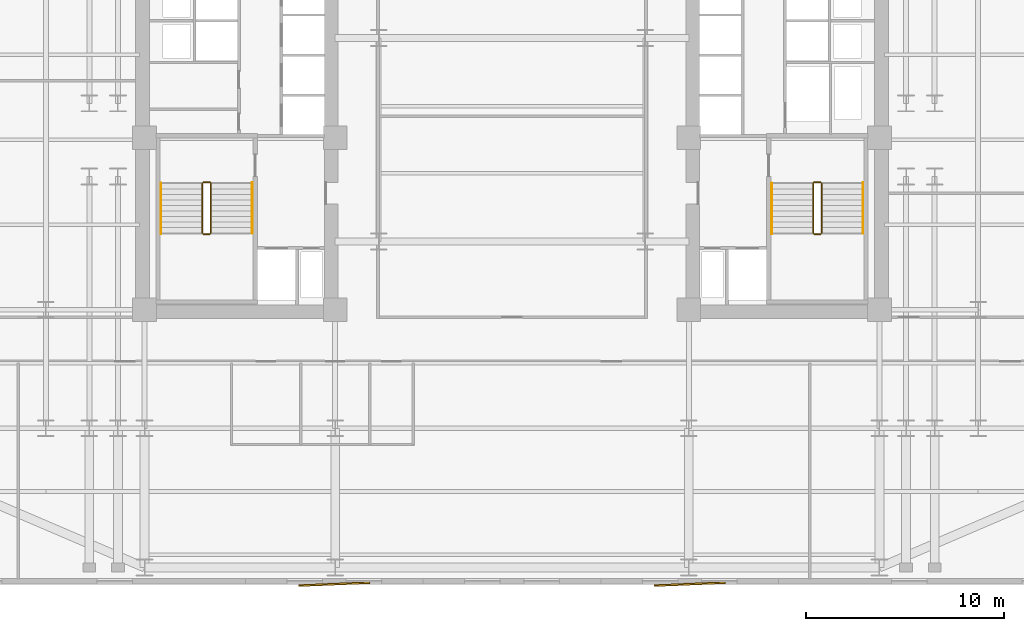
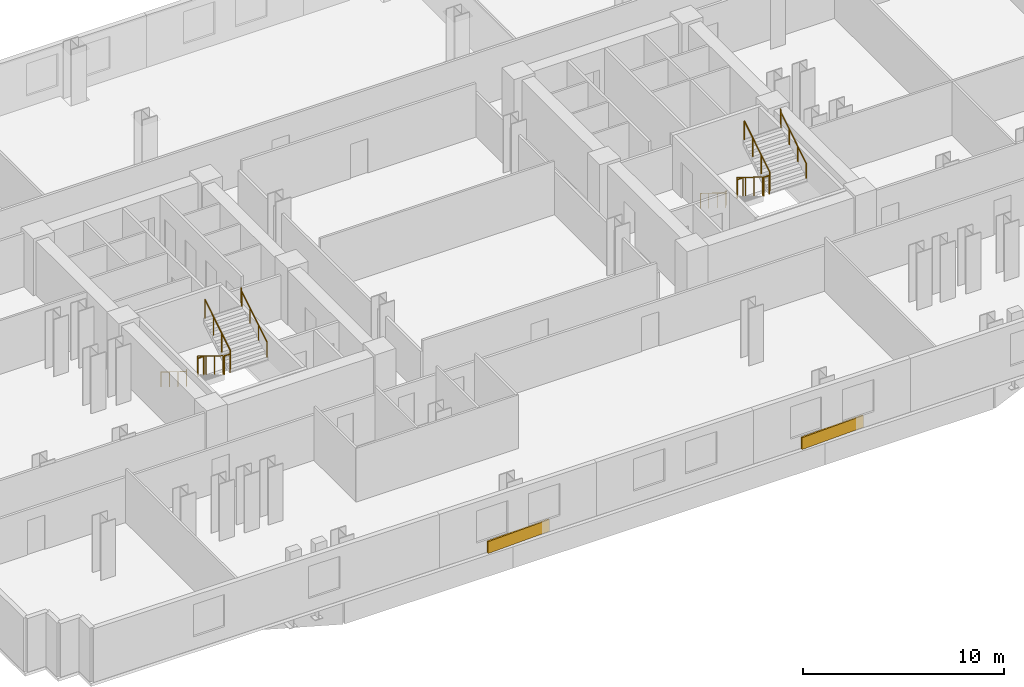
# One storey, part 9 of 10: 12 railings, 2 coverings.
"""IFC4 building model written with IfcOpenShell, lengths in metres."""

from ifc_helpers import new_model, si_unit, direction, frame, origin, origin_2d, place, context, subcontext, project, spatial, rectangle, circle, extrude, material, layer, layer_set, type_object, element, save


model = new_model("IFC4")

# Units and contexts
model_context = context("Model", 3, precision=1e-05, world=origin(), true_north=direction((0.0, 1.0)))
body_context = subcontext(model_context, "Body", "Model", "MODEL_VIEW")
ifc_project = project(units=[si_unit("LENGTHUNIT", "METRE"), si_unit("AREAUNIT", "SQUARE_METRE"), si_unit("VOLUMEUNIT", "CUBIC_METRE"), si_unit("PLANEANGLEUNIT", "RADIAN"), si_unit("MASSUNIT", "GRAM", prefix="KILO")], contexts=[model_context])

# Site, building, storey
site_placement = place(None, origin())
site = spatial("IfcSite", under=ifc_project, at=site_placement, CompositionType="ELEMENT")
building_placement = place(site_placement, origin())
building = spatial("IfcBuilding", under=site, at=building_placement, Name="Velakula Bourse", CompositionType="ELEMENT")
storey_placement = place(building_placement, frame((0.0, 0.0, 31.199951171875)))
storey = spatial("IfcBuildingStorey", under=building, at=storey_placement, Name="L07", CompositionType="ELEMENT", Elevation=31.199951171875)

# Coverings
ifc_material_1 = material(Name="Red kilned clay facing brick masonry", Category="masonry")
ifc_layer = layer(ifc_material_1, 0.090087890625, Name="Red kilned clay facing brick masonry", Category="masonry")
ifc_layer_set = layer_set([ifc_layer], Name="Red kilned clay facing brick masonry")
covering_type = type_object("IfcCoveringType", Name="COV-BRK-FOLD-90", PredefinedType="CLADDING", material=ifc_layer_set)
for number, where, z_axis, x_axis, name in (
    (1, (-9.0, -22.489990234375, 0.0), (0.0, 0.0, 1.0), (0.999158993058, 0.041003738744, 0.0), "L07 Folded Brick Facade Cladding Panel S-B2"),
    (2, (9.0, -22.489990234375, 0.0), (0.0, 0.0, 1.0), (0.999158993058, 0.041003738744, 0.0), "L07 Folded Brick Facade Cladding Panel S-B4"),
):
    element("IfcCovering", number, at=place(storey_placement, frame(where, z_axis=z_axis, x_axis=x_axis)), inside=storey, type_object=covering_type, Name=name, PredefinedType="CLADDING", context=body_context, shape_type="SweptSolid", body=[
        extrude(rectangle(XDim=3.60009765625, YDim=0.090087890625, at=origin_2d()), origin(), (0.0, 0.0, 1.0), 0.719970703125),
    ])

# Railings
ifc_material_2 = material(Name="Brushed grade 316 stainless steel", Category="steel")
railing_type_1 = type_object("IfcRailingType", Name="RLG-STAIR-GUARD-1150", PredefinedType="BALUSTRADE", material=ifc_material_2)
railing_1_placement = place(storey_placement, frame((-15.672119140625, -2.199951171875, 0.172607421875)))
element("IfcRailing", 3, at=railing_1_placement, inside=storey, type_object=railing_type_1, Name="L07 ST-W1 stair guard 1", PredefinedType="BALUSTRADE", context=body_context, shape_type="SweptSolid", body=[
    extrude(circle(Radius=0.02490234375, at=origin_2d()), frame((0.0, 0.0, 1.125), z_axis=(0.0, -0.851400495292, 0.524516154772), x_axis=(1.0, 0.0, 0.0)), (0.0, 0.0, 1.0), 2.9599609375),
    extrude(circle(Radius=0.02099609375, at=origin_2d()), origin(), (0.0, 0.0, 1.0), 1.099853515625),
    extrude(circle(Radius=0.02099609375, at=origin_2d()), frame((0.0, -0.840087890625, 0.517578125)), (0.0, 0.0, 1.0), 1.099853515625),
    extrude(circle(Radius=0.02099609375, at=origin_2d()), frame((0.0, -1.679931640625, 1.034912109375)), (0.0, 0.0, 1.0), 1.099853515625),
    extrude(circle(Radius=0.02099609375, at=origin_2d()), frame((0.0, -2.52001953125, 1.552490234375)), (0.0, 0.0, 1.0), 1.099853515625),
])
railing_2_placement = place(storey_placement, frame((-15.6220703125, -4.77001953125, 1.72509765625)))
element("IfcRailing", 4, at=railing_2_placement, inside=storey, type_object=railing_type_1, Name="L07 ST-W1 stair guard 2", PredefinedType="BALUSTRADE", context=body_context, shape_type="SweptSolid", body=[
    extrude(circle(Radius=0.02490234375, at=origin_2d()), frame((0.0, 0.0, 1.125), z_axis=(1.0, 0.0, 0.0), x_axis=(0.0, 1.0, 0.0)), (0.0, 0.0, 1.0), 0.323974609375),
    extrude(circle(Radius=0.02099609375, at=origin_2d()), origin(), (0.0, 0.0, 1.0), 1.099853515625),
    extrude(circle(Radius=0.02099609375, at=origin_2d()), frame((0.323974609375, 0.0, 0.0)), (0.0, 0.0, 1.0), 1.099853515625),
])
railing_3_placement = place(storey_placement, frame((-15.248046875, -4.719970703125, 1.8974609375)))
element("IfcRailing", 5, at=railing_3_placement, inside=storey, type_object=railing_type_1, Name="L07 ST-W1 stair guard 3", PredefinedType="BALUSTRADE", context=body_context, shape_type="SweptSolid", body=[
    extrude(circle(Radius=0.02490234375, at=origin_2d()), frame((0.0, 0.0, 1.125), z_axis=(0.0, 0.851400495292, 0.524516154772), x_axis=(-1.0, 0.0, 0.0)), (0.0, 0.0, 1.0), 2.9599609375),
    extrude(circle(Radius=0.02099609375, at=origin_2d()), origin(), (0.0, 0.0, 1.0), 1.099853515625),
    extrude(circle(Radius=0.02099609375, at=origin_2d()), frame((0.0, 0.840087890625, 0.517578125)), (0.0, 0.0, 1.0), 1.099853515625),
    extrude(circle(Radius=0.02099609375, at=origin_2d()), frame((0.0, 1.679931640625, 1.034912109375)), (0.0, 0.0, 1.0), 1.099853515625),
    extrude(circle(Radius=0.02099609375, at=origin_2d()), frame((0.0, 2.52001953125, 1.552490234375)), (0.0, 0.0, 1.0), 1.099853515625),
])
railing_4_placement = place(storey_placement, frame((-15.6220703125, -2.14990234375, 0.0)))
element("IfcRailing", 6, at=railing_4_placement, inside=storey, type_object=railing_type_1, Name="L07 ST-W1 stair guard 4", PredefinedType="BALUSTRADE", context=body_context, shape_type="SweptSolid", body=[
    extrude(circle(Radius=0.02490234375, at=origin_2d()), frame((0.0, 0.0, 1.125), z_axis=(1.0, 0.0, 0.0), x_axis=(0.0, 1.0, 0.0)), (0.0, 0.0, 1.0), 0.323974609375),
    extrude(circle(Radius=0.02099609375, at=origin_2d()), origin(), (0.0, 0.0, 1.0), 1.099853515625),
    extrude(circle(Radius=0.02099609375, at=origin_2d()), frame((0.323974609375, 0.0, 0.0)), (0.0, 0.0, 1.0), 1.099853515625),
])
railing_5_placement = place(storey_placement, frame((15.248046875, -2.199951171875, 0.172607421875)))
element("IfcRailing", 7, at=railing_5_placement, inside=storey, type_object=railing_type_1, Name="L07 ST-E1 stair guard 1", PredefinedType="BALUSTRADE", context=body_context, shape_type="SweptSolid", body=[
    extrude(circle(Radius=0.02490234375, at=origin_2d()), frame((0.0, 0.0, 1.125), z_axis=(0.0, -0.851400495292, 0.524516154772), x_axis=(1.0, 0.0, 0.0)), (0.0, 0.0, 1.0), 2.9599609375),
    extrude(circle(Radius=0.02099609375, at=origin_2d()), origin(), (0.0, 0.0, 1.0), 1.099853515625),
    extrude(circle(Radius=0.02099609375, at=origin_2d()), frame((0.0, -0.840087890625, 0.517578125)), (0.0, 0.0, 1.0), 1.099853515625),
    extrude(circle(Radius=0.02099609375, at=origin_2d()), frame((0.0, -1.679931640625, 1.034912109375)), (0.0, 0.0, 1.0), 1.099853515625),
    extrude(circle(Radius=0.02099609375, at=origin_2d()), frame((0.0, -2.52001953125, 1.552490234375)), (0.0, 0.0, 1.0), 1.099853515625),
])
railing_6_placement = place(storey_placement, frame((15.298095703125, -4.77001953125, 1.72509765625)))
element("IfcRailing", 8, at=railing_6_placement, inside=storey, type_object=railing_type_1, Name="L07 ST-E1 stair guard 2", PredefinedType="BALUSTRADE", context=body_context, shape_type="SweptSolid", body=[
    extrude(circle(Radius=0.02490234375, at=origin_2d()), frame((0.0, 0.0, 1.125), z_axis=(1.0, 0.0, 0.0), x_axis=(0.0, 1.0, 0.0)), (0.0, 0.0, 1.0), 0.323974609375),
    extrude(circle(Radius=0.02099609375, at=origin_2d()), origin(), (0.0, 0.0, 1.0), 1.099853515625),
    extrude(circle(Radius=0.02099609375, at=origin_2d()), frame((0.323974609375, 0.0, 0.0)), (0.0, 0.0, 1.0), 1.099853515625),
])
railing_7_placement = place(storey_placement, frame((15.672119140625, -4.719970703125, 1.8974609375)))
element("IfcRailing", 9, at=railing_7_placement, inside=storey, type_object=railing_type_1, Name="L07 ST-E1 stair guard 3", PredefinedType="BALUSTRADE", context=body_context, shape_type="SweptSolid", body=[
    extrude(circle(Radius=0.02490234375, at=origin_2d()), frame((0.0, 0.0, 1.125), z_axis=(0.0, 0.851400495292, 0.524516154772), x_axis=(-1.0, 0.0, 0.0)), (0.0, 0.0, 1.0), 2.9599609375),
    extrude(circle(Radius=0.02099609375, at=origin_2d()), origin(), (0.0, 0.0, 1.0), 1.099853515625),
    extrude(circle(Radius=0.02099609375, at=origin_2d()), frame((0.0, 0.840087890625, 0.517578125)), (0.0, 0.0, 1.0), 1.099853515625),
    extrude(circle(Radius=0.02099609375, at=origin_2d()), frame((0.0, 1.679931640625, 1.034912109375)), (0.0, 0.0, 1.0), 1.099853515625),
    extrude(circle(Radius=0.02099609375, at=origin_2d()), frame((0.0, 2.52001953125, 1.552490234375)), (0.0, 0.0, 1.0), 1.099853515625),
])
railing_8_placement = place(storey_placement, frame((15.298095703125, -2.14990234375, 0.0)))
element("IfcRailing", 10, at=railing_8_placement, inside=storey, type_object=railing_type_1, Name="L07 ST-E1 stair guard 4", PredefinedType="BALUSTRADE", context=body_context, shape_type="SweptSolid", body=[
    extrude(circle(Radius=0.02490234375, at=origin_2d()), frame((0.0, 0.0, 1.125), z_axis=(1.0, 0.0, 0.0), x_axis=(0.0, 1.0, 0.0)), (0.0, 0.0, 1.0), 0.323974609375),
    extrude(circle(Radius=0.02099609375, at=origin_2d()), origin(), (0.0, 0.0, 1.0), 1.099853515625),
    extrude(circle(Radius=0.02099609375, at=origin_2d()), frame((0.323974609375, 0.0, 0.0)), (0.0, 0.0, 1.0), 1.099853515625),
])
railing_type_2 = type_object("IfcRailingType", Name="RLG-STAIR-HAND-920", PredefinedType="HANDRAIL", material=ifc_material_2)
railing_9_placement = place(storey_placement, frame((-17.77001953125, -2.199951171875, 0.172607421875)))
element("IfcRailing", 11, at=railing_9_placement, inside=storey, type_object=railing_type_2, Name="L07 ST-W1 stair handrail 1", PredefinedType="HANDRAIL", context=body_context, shape_type="SweptSolid", body=[
    extrude(circle(Radius=0.02099609375, at=origin_2d()), frame((0.0, 0.0, 0.89892578125), z_axis=(0.0, -0.851400495292, 0.524516154772), x_axis=(1.0, 0.0, 0.0)), (0.0, 0.0, 1.0), 2.9599609375),
    extrude(circle(Radius=0.02099609375, at=origin_2d()), frame((0.0, -2.52001953125, 2.451416015625), z_axis=(0.0, -0.226269970362, 0.974064628509), x_axis=(1.0, 0.0, 0.0)), (0.0, 0.0, 1.0), 0.177001953125),
    extrude(circle(Radius=0.02099609375, at=origin_2d()), frame((0.0, -2.56005859375, 2.623779296875), z_axis=(0.0, -1.0, 0.0), x_axis=(1.0, 0.0, 0.0)), (0.0, 0.0, 1.0), 0.0048828125),
    extrude(circle(Radius=0.02099609375, at=origin_2d()), origin(), (0.0, 0.0, 1.0), 0.8779296875),
    extrude(circle(Radius=0.02099609375, at=origin_2d()), frame((0.0, -0.840087890625, 0.517578125)), (0.0, 0.0, 1.0), 0.8779296875),
    extrude(circle(Radius=0.02099609375, at=origin_2d()), frame((0.0, -1.679931640625, 1.034912109375)), (0.0, 0.0, 1.0), 0.8779296875),
    extrude(circle(Radius=0.02099609375, at=origin_2d()), frame((0.0, -2.52001953125, 1.552490234375)), (0.0, 0.0, 1.0), 0.8779296875),
    extrude(circle(Radius=0.02099609375, at=origin_2d()), frame((0.0, -2.56005859375, 1.724853515625)), (0.0, 0.0, 1.0), 0.8779296875),
    extrude(circle(Radius=0.02099609375, at=origin_2d()), frame((0.0, -2.56494140625, 1.724853515625)), (0.0, 0.0, 1.0), 0.8779296875),
])
railing_10_placement = place(storey_placement, frame((-13.14990234375, -4.719970703125, 1.8974609375)))
element("IfcRailing", 12, at=railing_10_placement, inside=storey, type_object=railing_type_2, Name="L07 ST-W1 stair handrail 2", PredefinedType="HANDRAIL", context=body_context, shape_type="SweptSolid", body=[
    extrude(circle(Radius=0.02099609375, at=origin_2d()), frame((0.0, 0.0, 0.89892578125), z_axis=(0.0, 0.851400495292, 0.524516154772), x_axis=(-1.0, 0.0, 0.0)), (0.0, 0.0, 1.0), 2.9599609375),
    extrude(circle(Radius=0.02099609375, at=origin_2d()), frame((0.0, 2.52001953125, 2.451416015625), z_axis=(0.0, 0.22596628056, 0.974135124123), x_axis=(-1.0, 0.0, 0.0)), (0.0, 0.0, 1.0), 0.17724609375),
    extrude(circle(Radius=0.02099609375, at=origin_2d()), frame((0.0, 2.56005859375, 2.6240234375), z_axis=(0.0, 1.0, 0.0), x_axis=(-1.0, 0.0, 0.0)), (0.0, 0.0, 1.0), 0.0048828125),
    extrude(circle(Radius=0.02099609375, at=origin_2d()), origin(), (0.0, 0.0, 1.0), 0.8779296875),
    extrude(circle(Radius=0.02099609375, at=origin_2d()), frame((0.0, 0.840087890625, 0.517578125)), (0.0, 0.0, 1.0), 0.8779296875),
    extrude(circle(Radius=0.02099609375, at=origin_2d()), frame((0.0, 1.679931640625, 1.034912109375)), (0.0, 0.0, 1.0), 0.8779296875),
    extrude(circle(Radius=0.02099609375, at=origin_2d()), frame((0.0, 2.52001953125, 1.552490234375)), (0.0, 0.0, 1.0), 0.8779296875),
    extrude(circle(Radius=0.02099609375, at=origin_2d()), frame((0.0, 2.56005859375, 1.72509765625)), (0.0, 0.0, 1.0), 0.8779296875),
    extrude(circle(Radius=0.02099609375, at=origin_2d()), frame((0.0, 2.56494140625, 1.72509765625)), (0.0, 0.0, 1.0), 0.8779296875),
])
railing_11_placement = place(storey_placement, frame((13.14990234375, -2.199951171875, 0.172607421875)))
element("IfcRailing", 13, at=railing_11_placement, inside=storey, type_object=railing_type_2, Name="L07 ST-E1 stair handrail 1", PredefinedType="HANDRAIL", context=body_context, shape_type="SweptSolid", body=[
    extrude(circle(Radius=0.02099609375, at=origin_2d()), frame((0.0, 0.0, 0.89892578125), z_axis=(0.0, -0.851400495292, 0.524516154772), x_axis=(1.0, 0.0, 0.0)), (0.0, 0.0, 1.0), 2.9599609375),
    extrude(circle(Radius=0.02099609375, at=origin_2d()), frame((0.0, -2.52001953125, 2.451416015625), z_axis=(0.0, -0.226269970362, 0.974064628509), x_axis=(1.0, 0.0, 0.0)), (0.0, 0.0, 1.0), 0.177001953125),
    extrude(circle(Radius=0.02099609375, at=origin_2d()), frame((0.0, -2.56005859375, 2.623779296875), z_axis=(0.0, -1.0, 0.0), x_axis=(1.0, 0.0, 0.0)), (0.0, 0.0, 1.0), 0.0048828125),
    extrude(circle(Radius=0.02099609375, at=origin_2d()), origin(), (0.0, 0.0, 1.0), 0.8779296875),
    extrude(circle(Radius=0.02099609375, at=origin_2d()), frame((0.0, -0.840087890625, 0.517578125)), (0.0, 0.0, 1.0), 0.8779296875),
    extrude(circle(Radius=0.02099609375, at=origin_2d()), frame((0.0, -1.679931640625, 1.034912109375)), (0.0, 0.0, 1.0), 0.8779296875),
    extrude(circle(Radius=0.02099609375, at=origin_2d()), frame((0.0, -2.52001953125, 1.552490234375)), (0.0, 0.0, 1.0), 0.8779296875),
    extrude(circle(Radius=0.02099609375, at=origin_2d()), frame((0.0, -2.56005859375, 1.724853515625)), (0.0, 0.0, 1.0), 0.8779296875),
    extrude(circle(Radius=0.02099609375, at=origin_2d()), frame((0.0, -2.56494140625, 1.724853515625)), (0.0, 0.0, 1.0), 0.8779296875),
])
railing_12_placement = place(storey_placement, frame((17.77001953125, -4.719970703125, 1.8974609375)))
element("IfcRailing", 14, at=railing_12_placement, inside=storey, type_object=railing_type_2, Name="L07 ST-E1 stair handrail 2", PredefinedType="HANDRAIL", context=body_context, shape_type="SweptSolid", body=[
    extrude(circle(Radius=0.02099609375, at=origin_2d()), frame((0.0, 0.0, 0.89892578125), z_axis=(0.0, 0.851400495292, 0.524516154772), x_axis=(-1.0, 0.0, 0.0)), (0.0, 0.0, 1.0), 2.9599609375),
    extrude(circle(Radius=0.02099609375, at=origin_2d()), frame((0.0, 2.52001953125, 2.451416015625), z_axis=(0.0, 0.22596628056, 0.974135124123), x_axis=(-1.0, 0.0, 0.0)), (0.0, 0.0, 1.0), 0.17724609375),
    extrude(circle(Radius=0.02099609375, at=origin_2d()), frame((0.0, 2.56005859375, 2.6240234375), z_axis=(0.0, 1.0, 0.0), x_axis=(-1.0, 0.0, 0.0)), (0.0, 0.0, 1.0), 0.0048828125),
    extrude(circle(Radius=0.02099609375, at=origin_2d()), origin(), (0.0, 0.0, 1.0), 0.8779296875),
    extrude(circle(Radius=0.02099609375, at=origin_2d()), frame((0.0, 0.840087890625, 0.517578125)), (0.0, 0.0, 1.0), 0.8779296875),
    extrude(circle(Radius=0.02099609375, at=origin_2d()), frame((0.0, 1.679931640625, 1.034912109375)), (0.0, 0.0, 1.0), 0.8779296875),
    extrude(circle(Radius=0.02099609375, at=origin_2d()), frame((0.0, 2.52001953125, 1.552490234375)), (0.0, 0.0, 1.0), 0.8779296875),
    extrude(circle(Radius=0.02099609375, at=origin_2d()), frame((0.0, 2.56005859375, 1.72509765625)), (0.0, 0.0, 1.0), 0.8779296875),
    extrude(circle(Radius=0.02099609375, at=origin_2d()), frame((0.0, 2.56494140625, 1.72509765625)), (0.0, 0.0, 1.0), 0.8779296875),
])

save(model, "model.ifc")
